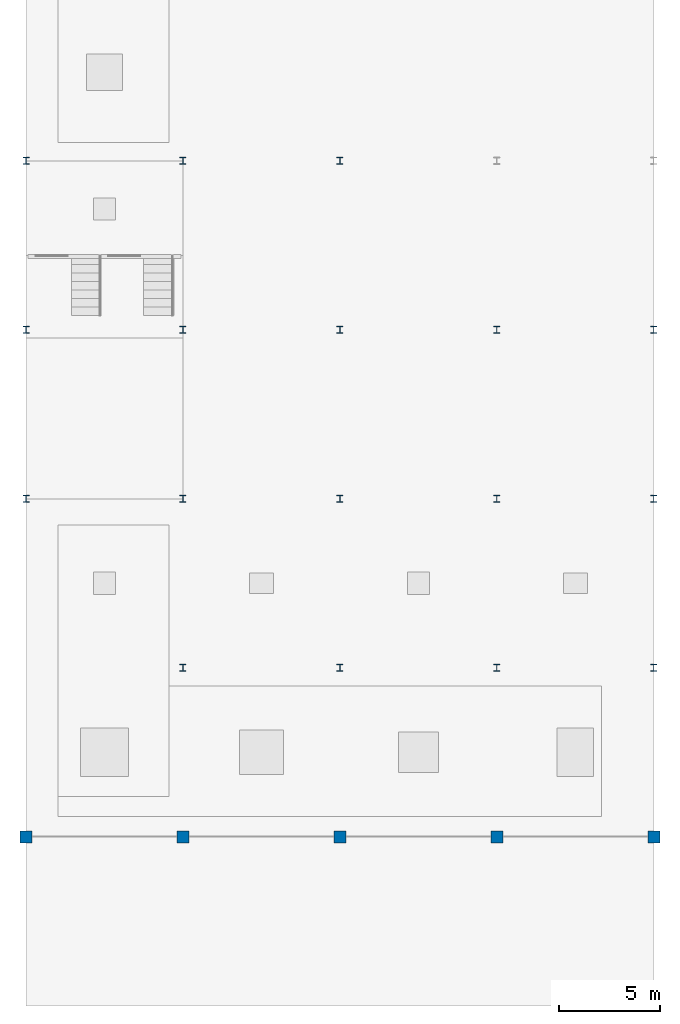
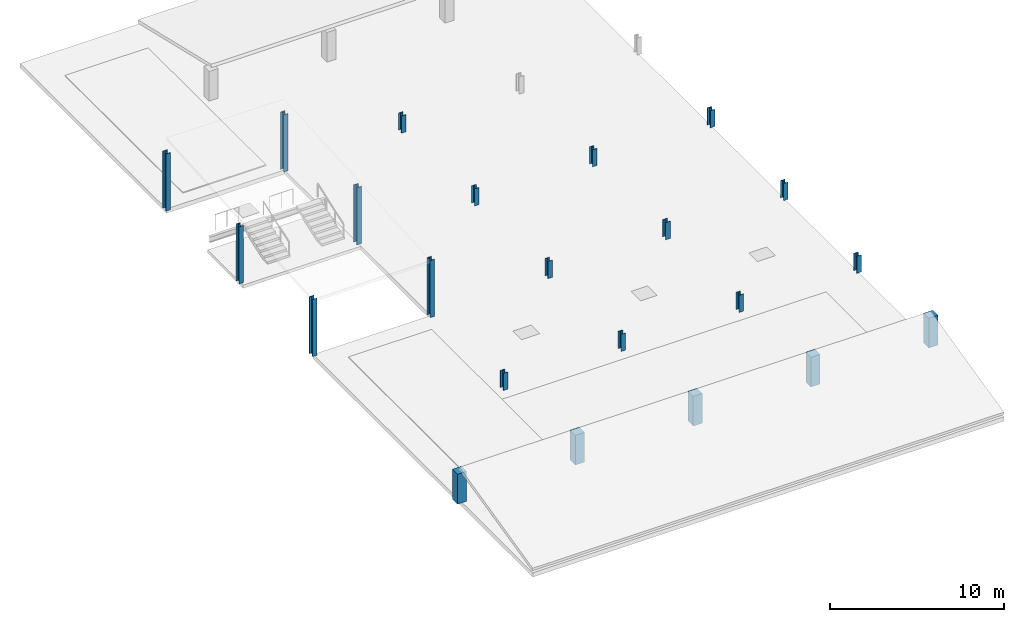
# One storey, part 1 of 4: 22 columns.
"""IFC4 building model written with IfcOpenShell, lengths in metres."""

from ifc_helpers import new_model, si_unit, direction, frame, origin, origin_2d, place, context, subcontext, project, spatial, rectangle, i_section, extrude, material, material_profile, profile_set, type_object, element, save


model = new_model("IFC4")

# Units and contexts
model_context = context("Model", 3, precision=1e-05, world=origin(), true_north=direction((0.0, 1.0)))
body_context = subcontext(model_context, "Body", "Model", "MODEL_VIEW")
ifc_project = project(units=[si_unit("LENGTHUNIT", "METRE"), si_unit("AREAUNIT", "SQUARE_METRE"), si_unit("VOLUMEUNIT", "CUBIC_METRE"), si_unit("PLANEANGLEUNIT", "RADIAN"), si_unit("MASSUNIT", "GRAM", prefix="KILO"), si_unit("THERMODYNAMICTEMPERATUREUNIT", "KELVIN"), si_unit("POWERUNIT", "WATT")], contexts=[model_context])

# Site, building, storey
site_placement = place(None, origin())
site = spatial("IfcSite", under=ifc_project, at=site_placement, CompositionType="ELEMENT")
building_placement = place(site_placement, origin())
building = spatial("IfcBuilding", under=site, at=building_placement, Name="Srebrne Nadtorze General Hospital", CompositionType="ELEMENT")
storey_placement = place(building_placement, frame((0.0, 0.0, 37.800048828125)))
storey = spatial("IfcBuildingStorey", under=building, at=storey_placement, Name="ROOF", CompositionType="ELEMENT", Elevation=37.800048828125)

# Columns
ifc_material_1 = material(Name="Concrete C35/45", Category="concrete")
ifc_material_profile_1 = material_profile(ifc_material_1, rectangle(XDim=0.60009765625, YDim=0.60009765625, at=origin_2d()), Name="RC-COL-600x600")
ifc_profile_set_1 = profile_set([ifc_material_profile_1], Name="Concrete C35/45")
column_type_1 = type_object("IfcColumnType", Name="Reinforced concrete column 600x600", PredefinedType="COLUMN", material=ifc_profile_set_1)
for number, where, z_axis, x_axis, name in (
    (1, (23.39990234375, 42.0, 0.0), (0.0, 0.0, 1.0), (1.0, 0.0, 0.0), "Pavilion roof ridge column WWD 01"),
    (2, (31.199951171875, 42.0, 0.0), (0.0, 0.0, 1.0), (1.0, 0.0, 0.0), "Pavilion roof ridge column WWD 02"),
    (3, (39.0, 42.0, 0.0), (0.0, 0.0, 1.0), (1.0, 0.0, 0.0), "Pavilion roof ridge column WWD 03"),
    (4, (46.800048828125, 42.0, 0.0), (0.0, 0.0, 1.0), (1.0, 0.0, 0.0), "Pavilion roof ridge column WWD 04"),
    (5, (54.60009765625, 42.0, 0.0), (0.0, 0.0, 1.0), (1.0, 0.0, 0.0), "Pavilion roof ridge column WWD 05"),
):
    element("IfcColumn", number, at=place(storey_placement, frame(where, z_axis=z_axis, x_axis=x_axis)), inside=storey, type_object=column_type_1, Name=name, PredefinedType="COLUMN", context=body_context, shape_type="SweptSolid", body=[
        extrude(rectangle(XDim=0.60009765625, YDim=0.60009765625, at=origin_2d()), origin(), (0.0, 0.0, 1.0), 2.079833984375),
    ])
ifc_material_2 = material(Name="Steel S355J2", Category="steel")
ifc_material_profile_2 = material_profile(ifc_material_2, i_section(OverallWidth=0.300048828125, OverallDepth=0.360107421875, WebThickness=0.012451171875, FlangeThickness=0.0224609375, FilletRadius=0.027099609375, at=origin_2d()), Name="HEB-360")
ifc_profile_set_2 = profile_set([ifc_material_profile_2], Name="Steel S355J2")
column_type_2 = type_object("IfcColumnType", Name="Steel column HEB 360", PredefinedType="COLUMN", material=ifc_profile_set_2)
for number, where, z_axis, x_axis, name in (
    (6, (23.39990234375, 58.800048828125, 0.0), (0.0, 0.0, 1.0), (1.0, 0.0, 0.0), "Helipad steel column 4-H"),
    (7, (23.39990234375, 67.199951171875, 0.0), (0.0, 0.0, 1.0), (1.0, 0.0, 0.0), "Helipad steel column 4-J"),
    (8, (23.39990234375, 75.60009765625, 0.0), (0.0, 0.0, 1.0), (1.0, 0.0, 0.0), "Helipad steel column 4-K"),
):
    element("IfcColumn", number, at=place(storey_placement, frame(where, z_axis=z_axis, x_axis=x_axis)), inside=storey, type_object=column_type_2, Name=name, PredefinedType="COLUMN", context=body_context, shape_type="SweptSolid", body=[
        extrude(i_section(OverallWidth=0.300048828125, OverallDepth=0.360107421875, WebThickness=0.012451171875, FlangeThickness=0.0224609375, FilletRadius=0.027099609375, at=origin_2d()), origin(), (0.0, 0.0, 1.0), 4.0),
    ])
column_placement = place(storey_placement, frame((31.199951171875, 50.39990234375, 0.0), z_axis=(0.0, 0.0, 1.0), x_axis=(1.0, 0.0, 0.0)))
element("IfcColumn", 9, at=column_placement, inside=storey, type_object=column_type_2, Name="Helipad steel column 5-G", PredefinedType="COLUMN", context=body_context, shape_type="SweptSolid", body=[
    extrude(i_section(OverallWidth=0.300048828125, OverallDepth=0.360107421875, WebThickness=0.012451171875, FlangeThickness=0.0224609375, FilletRadius=0.027099609375, at=origin_2d()), origin(), (0.0, 0.0, 1.0), 1.199951171875),
])
for number, where, z_axis, x_axis, name in (
    (10, (31.199951171875, 58.800048828125, 0.0), (0.0, 0.0, 1.0), (1.0, 0.0, 0.0), "Helipad steel column 5-H"),
    (11, (31.199951171875, 67.199951171875, 0.0), (0.0, 0.0, 1.0), (1.0, 0.0, 0.0), "Helipad steel column 5-J"),
    (12, (31.199951171875, 75.60009765625, 0.0), (0.0, 0.0, 1.0), (1.0, 0.0, 0.0), "Helipad steel column 5-K"),
):
    element("IfcColumn", number, at=place(storey_placement, frame(where, z_axis=z_axis, x_axis=x_axis)), inside=storey, type_object=column_type_2, Name=name, PredefinedType="COLUMN", context=body_context, shape_type="SweptSolid", body=[
        extrude(i_section(OverallWidth=0.300048828125, OverallDepth=0.360107421875, WebThickness=0.012451171875, FlangeThickness=0.0224609375, FilletRadius=0.027099609375, at=origin_2d()), origin(), (0.0, 0.0, 1.0), 4.0),
    ])
for number, where, z_axis, x_axis, name in (
    (13, (39.0, 50.39990234375, 0.0), (0.0, 0.0, 1.0), (1.0, 0.0, 0.0), "Helipad steel column 6-G"),
    (14, (39.0, 58.800048828125, 0.0), (0.0, 0.0, 1.0), (1.0, 0.0, 0.0), "Helipad steel column 6-H"),
    (15, (39.0, 67.199951171875, 0.0), (0.0, 0.0, 1.0), (1.0, 0.0, 0.0), "Helipad steel column 6-J"),
    (16, (39.0, 75.60009765625, 0.0), (0.0, 0.0, 1.0), (1.0, 0.0, 0.0), "Helipad steel column 6-K"),
    (17, (46.800048828125, 50.39990234375, 0.0), (0.0, 0.0, 1.0), (1.0, 0.0, 0.0), "Helipad steel column 7-G"),
    (18, (46.800048828125, 58.800048828125, 0.0), (0.0, 0.0, 1.0), (1.0, 0.0, 0.0), "Helipad steel column 7-H"),
    (19, (46.800048828125, 67.199951171875, 0.0), (0.0, 0.0, 1.0), (1.0, 0.0, 0.0), "Helipad steel column 7-J"),
    (20, (54.60009765625, 50.39990234375, 0.0), (0.0, 0.0, 1.0), (1.0, 0.0, 0.0), "Helipad steel column 8-G"),
    (21, (54.60009765625, 58.800048828125, 0.0), (0.0, 0.0, 1.0), (1.0, 0.0, 0.0), "Helipad steel column 8-H"),
    (22, (54.60009765625, 67.199951171875, 0.0), (0.0, 0.0, 1.0), (1.0, 0.0, 0.0), "Helipad steel column 8-J"),
):
    element("IfcColumn", number, at=place(storey_placement, frame(where, z_axis=z_axis, x_axis=x_axis)), inside=storey, type_object=column_type_2, Name=name, PredefinedType="COLUMN", context=body_context, shape_type="SweptSolid", body=[
        extrude(i_section(OverallWidth=0.300048828125, OverallDepth=0.360107421875, WebThickness=0.012451171875, FlangeThickness=0.0224609375, FilletRadius=0.027099609375, at=origin_2d()), origin(), (0.0, 0.0, 1.0), 1.199951171875),
    ])

save(model, "model.ifc")
